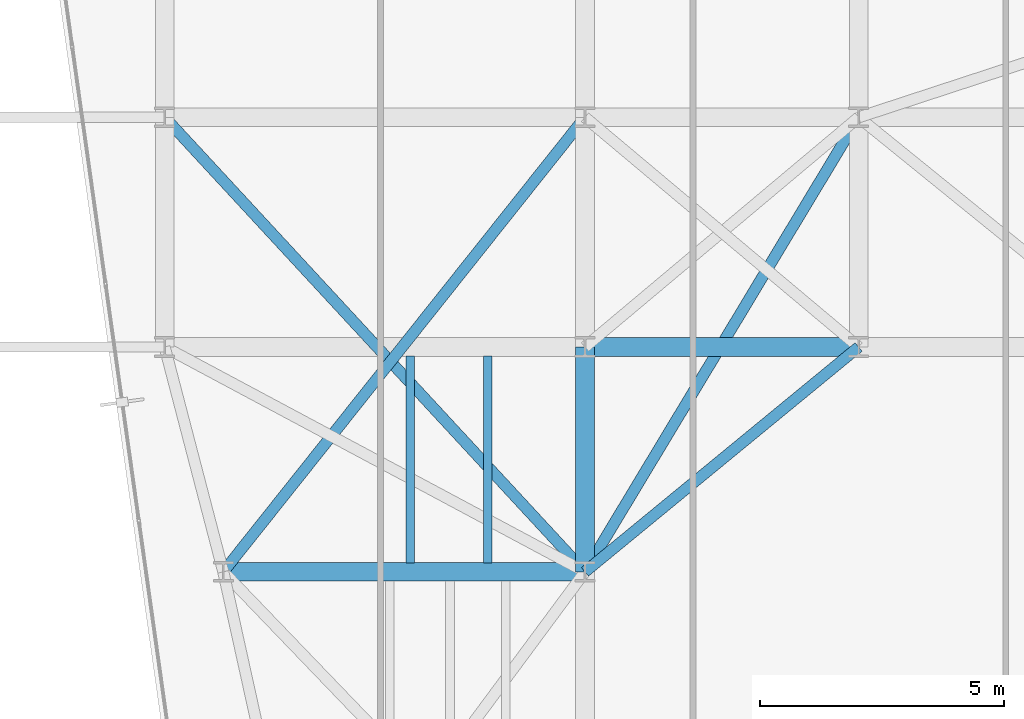
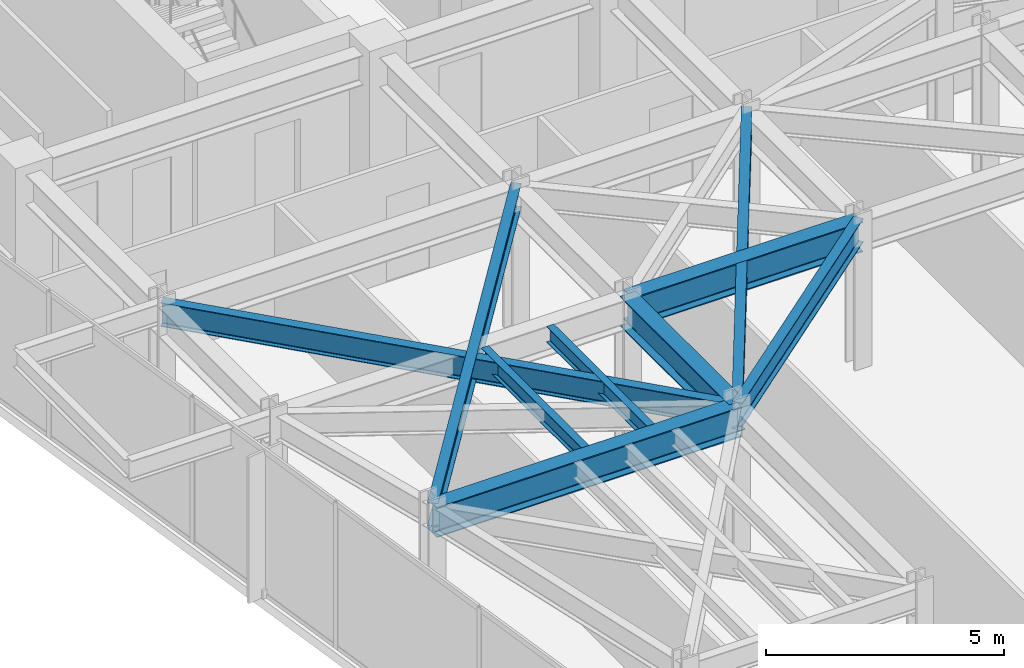
# One storey, part 5 of 27: 9 beams.
"""IFC4 building model written with IfcOpenShell, lengths in metres."""

from ifc_helpers import new_model, si_unit, direction, frame, origin, origin_2d, place, context, subcontext, project, spatial, i_section, extrude, material, material_profile, profile_set, type_object, element, save


model = new_model("IFC4")

# Units and contexts
model_context = context("Model", 3, precision=1e-05, world=origin(), true_north=direction((0.0, 1.0)))
body_context = subcontext(model_context, "Body", "Model", "MODEL_VIEW")
ifc_project = project(units=[si_unit("LENGTHUNIT", "METRE"), si_unit("AREAUNIT", "SQUARE_METRE"), si_unit("VOLUMEUNIT", "CUBIC_METRE"), si_unit("PLANEANGLEUNIT", "RADIAN"), si_unit("MASSUNIT", "GRAM", prefix="KILO")], contexts=[model_context])

# Site, building, storey
site_placement = place(None, origin())
site = spatial("IfcSite", under=ifc_project, at=site_placement, CompositionType="ELEMENT")
building_placement = place(site_placement, origin())
building = spatial("IfcBuilding", under=site, at=building_placement, Name="Kravanh Interchange Tower", CompositionType="ELEMENT")
storey_placement = place(building_placement, frame((0.0, 0.0, 164.5)))
storey = spatial("IfcBuildingStorey", under=building, at=storey_placement, Name="L39", CompositionType="ELEMENT", Elevation=164.5)

# Beams
ifc_material_1 = material(Name="Structural Steel S355", Category="steel")
ifc_material_profile_1 = material_profile(ifc_material_1, i_section(OverallWidth=0.381103515625, OverallDepth=0.77294921875, WebThickness=0.0166015625, FlangeThickness=0.027099609375, FilletRadius=0.02490234375, at=origin_2d()), Name="W30X173")
ifc_profile_set_1 = profile_set([ifc_material_profile_1], Name="Structural Steel S355")
beam_type_1 = type_object("IfcBeamType", Name="Floor Beam W30X173 Structural Steel S355", PredefinedType="BEAM", material=ifc_profile_set_1)
beam_1_placement = place(storey_placement, frame((27.199951171875, 26.800048828125, 3.368408203125), z_axis=(0.0, -1.0, 0.0), x_axis=(1.0, 0.0, 0.0)))
element("IfcBeam", 1, at=beam_1_placement, inside=storey, type_object=beam_type_1, Name="L39 Primary Floor Girder 37", PredefinedType="BEAM", context=body_context, shape_type="SweptSolid", body=[
    extrude(i_section(OverallWidth=0.381103515625, OverallDepth=0.77294921875, WebThickness=0.0166015625, FlangeThickness=0.027099609375, FilletRadius=0.02490234375, at=origin_2d()), origin(), (0.0, 0.0, 1.0), 4.60009765625),
])
beam_2_placement = place(storey_placement, frame((27.199951171875, 26.800048828125, 3.368408203125), z_axis=(1.0, 0.0, 0.0), x_axis=(0.0, 1.0, 0.0)))
element("IfcBeam", 2, at=beam_2_placement, inside=storey, type_object=beam_type_1, Name="L39 Primary Floor Girder 39", PredefinedType="BEAM", context=body_context, shape_type="SweptSolid", body=[
    extrude(i_section(OverallWidth=0.381103515625, OverallDepth=0.77294921875, WebThickness=0.0166015625, FlangeThickness=0.027099609375, FilletRadius=0.02490234375, at=origin_2d()), origin(), (0.0, 0.0, 1.0), 5.60009765625),
])
beam_3_placement = place(storey_placement, frame((19.800048828125, 22.199951171875, 3.368408203125), z_axis=(1.0, 0.0, 0.0), x_axis=(0.0, 1.0, 0.0)))
element("IfcBeam", 3, at=beam_3_placement, inside=storey, type_object=beam_type_1, Name="L39 Primary Floor Girder 91", PredefinedType="BEAM", context=body_context, shape_type="SweptSolid", body=[
    extrude(i_section(OverallWidth=0.381103515625, OverallDepth=0.77294921875, WebThickness=0.0166015625, FlangeThickness=0.027099609375, FilletRadius=0.02490234375, at=origin_2d()), origin(), (0.0, 0.0, 1.0), 7.39990234375),
])
ifc_material_2 = material(Name="Structural Steel S355", Category="steel")
ifc_material_profile_2 = material_profile(ifc_material_2, i_section(OverallWidth=0.177978515625, OverallDepth=0.406005859375, WebThickness=0.0078125, FlangeThickness=0.0126953125, FilletRadius=0.01611328125, at=origin_2d()), Name="W16X40")
ifc_profile_set_2 = profile_set([ifc_material_profile_2], Name="Structural Steel S355")
beam_type_2 = type_object("IfcBeamType", Name="Floor Joist W16X40 Structural Steel S355", PredefinedType="JOIST", material=ifc_profile_set_2)
for number, where, z_axis, x_axis, name in (
    (4, (23.6220703125, 22.385498046875, 3.552001953125), (0.0, 1.0, 0.0), (-1.0, 0.0, 0.0), "L39 Secondary Floor Joist 8"),
    (5, (25.2080078125, 22.385498046875, 3.552001953125), (0.0, 1.0, 0.0), (-1.0, 0.0, 0.0), "L39 Secondary Floor Joist 9"),
):
    element("IfcBeam", number, at=place(storey_placement, frame(where, z_axis=z_axis, x_axis=x_axis)), inside=storey, type_object=beam_type_2, Name=name, PredefinedType="JOIST", context=body_context, shape_type="SweptSolid", body=[
        extrude(i_section(OverallWidth=0.177978515625, OverallDepth=0.406005859375, WebThickness=0.0078125, FlangeThickness=0.0126953125, FilletRadius=0.01611328125, at=origin_2d()), origin(), (0.0, 0.0, 1.0), 4.22900390625),
    ])
ifc_material_3 = material(Name="Structural Steel S355", Category="steel")
ifc_material_profile_3 = material_profile(ifc_material_3, i_section(OverallWidth=0.22802734375, OverallDepth=0.60791015625, WebThickness=0.01123046875, FlangeThickness=0.017333984375, FilletRadius=0.02197265625, at=origin_2d()), Name="W24X76")
ifc_profile_set_3 = profile_set([ifc_material_profile_3], Name="Structural Steel S355")
beam_type_3 = type_object("IfcBeamType", Name="Floor Spandrel W24X76 Structural Steel S355", PredefinedType="SPANDREL", material=ifc_profile_set_3)
beam_4_placement = place(storey_placement, frame((32.800048828125, 26.800048828125, 3.450927734375), z_axis=(-0.772725074305, -0.634740860147, 0.0), x_axis=(0.634740860147, -0.772725074305, 0.0)))
element("IfcBeam", 6, at=beam_4_placement, inside=storey, type_object=beam_type_3, Name="L39 Perimeter Spandrel 43", PredefinedType="SPANDREL", context=body_context, shape_type="SweptSolid", body=[
    extrude(i_section(OverallWidth=0.22802734375, OverallDepth=0.60791015625, WebThickness=0.01123046875, FlangeThickness=0.017333984375, FilletRadius=0.02197265625, at=origin_2d()), origin(), (0.0, 0.0, 1.0), 7.247314453125),
])
beam_5_placement = place(storey_placement, frame((18.60009765625, 31.5, 3.450927734375), z_axis=(0.678927458783, -0.734205356634, 0.0), x_axis=(0.734205356634, 0.678927458783, 0.0)))
element("IfcBeam", 7, at=beam_5_placement, inside=storey, type_object=beam_type_3, Name="L39 Perimeter Spandrel 63", PredefinedType="SPANDREL", context=body_context, shape_type="SweptSolid", body=[
    extrude(i_section(OverallWidth=0.22802734375, OverallDepth=0.60791015625, WebThickness=0.01123046875, FlangeThickness=0.017333984375, FilletRadius=0.02197265625, at=origin_2d()), origin(), (0.0, 0.0, 1.0), 12.666748046875),
])
beam_6_placement = place(storey_placement, frame((27.199951171875, 31.5, 3.450927734375), z_axis=(-0.622633646541, -0.782513477324, 0.0), x_axis=(0.782513477324, -0.622633646541, 0.0)))
element("IfcBeam", 8, at=beam_6_placement, inside=storey, type_object=beam_type_3, Name="L39 Perimeter Spandrel 66", PredefinedType="SPANDREL", context=body_context, shape_type="SweptSolid", body=[
    extrude(i_section(OverallWidth=0.22802734375, OverallDepth=0.60791015625, WebThickness=0.01123046875, FlangeThickness=0.017333984375, FilletRadius=0.02197265625, at=origin_2d()), origin(), (0.0, 0.0, 1.0), 11.884765625),
])
beam_7_placement = place(storey_placement, frame((32.800048828125, 31.5, 3.450927734375), z_axis=(-0.515854375109, -0.856676288735, 0.0), x_axis=(0.856676288735, -0.515854375109, 0.0)))
element("IfcBeam", 9, at=beam_7_placement, inside=storey, type_object=beam_type_3, Name="L39 Perimeter Spandrel 69", PredefinedType="SPANDREL", context=body_context, shape_type="SweptSolid", body=[
    extrude(i_section(OverallWidth=0.22802734375, OverallDepth=0.60791015625, WebThickness=0.01123046875, FlangeThickness=0.017333984375, FilletRadius=0.02197265625, at=origin_2d()), origin(), (0.0, 0.0, 1.0), 10.85595703125),
])

save(model, "model.ifc")
